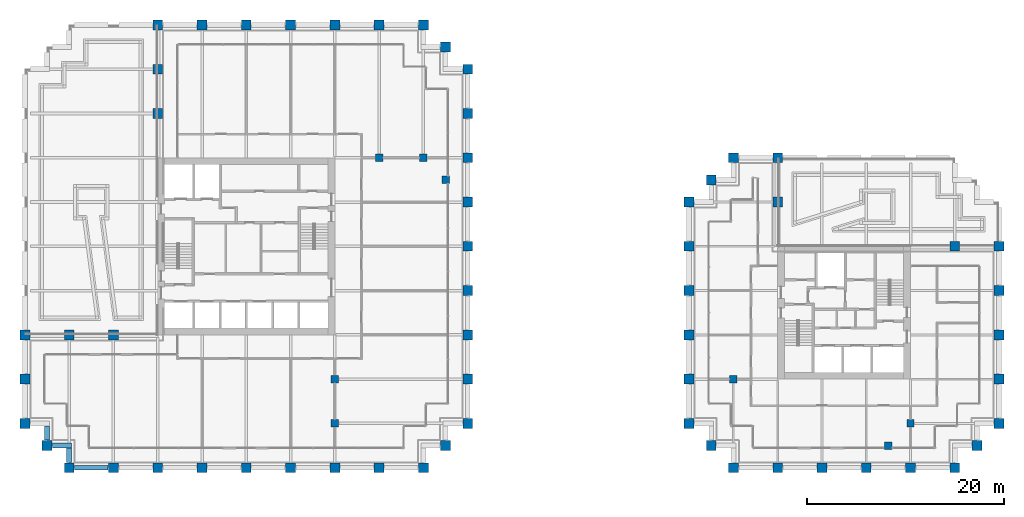
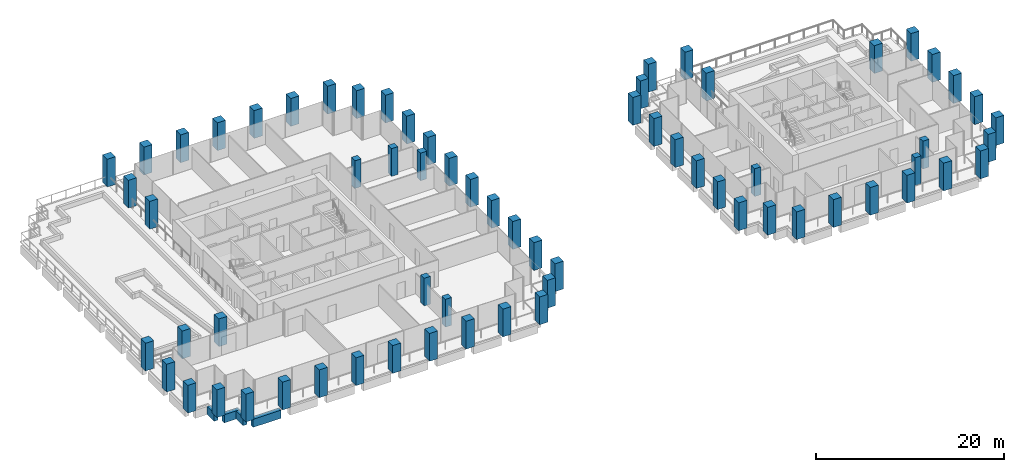
# One storey, part 1 of 52: 67 columns, 4 beams.
"""IFC4 building model written with IfcOpenShell, lengths in metres."""

from ifc_helpers import new_model, si_unit, direction, frame, origin, origin_2d, place, context, subcontext, project, spatial, rectangle, extrude, material, material_profile, profile_set, type_object, element, save


model = new_model("IFC4")

# Units and contexts
model_context = context("Model", 3, precision=1e-05, world=origin(), true_north=direction((0.0, 1.0)))
body_context = subcontext(model_context, "Body", "Model", "MODEL_VIEW")
ifc_project = project(units=[si_unit("LENGTHUNIT", "METRE"), si_unit("AREAUNIT", "SQUARE_METRE"), si_unit("VOLUMEUNIT", "CUBIC_METRE"), si_unit("PLANEANGLEUNIT", "RADIAN"), si_unit("MASSUNIT", "GRAM", prefix="KILO")], contexts=[model_context])

# Site, building, storey
site_placement = place(None, origin())
site = spatial("IfcSite", under=ifc_project, at=site_placement, CompositionType="ELEMENT")
building_placement = place(site_placement, origin())
building = spatial("IfcBuilding", under=site, at=building_placement, Name="Altepetl Exchange Towers", CompositionType="ELEMENT")
storey_placement = place(building_placement, frame((0.0, 0.0, 92.0)))
storey = spatial("IfcBuildingStorey", under=building, at=storey_placement, Name="L22", CompositionType="ELEMENT", Elevation=92.0)

# Columns
ifc_material_1 = material(Name="Concrete C70/85", Category="concrete")
ifc_material_profile_1 = material_profile(ifc_material_1, rectangle(XDim=0.75, YDim=0.75, at=origin_2d()), Name="750 x 750")
ifc_profile_set_1 = profile_set([ifc_material_profile_1], Name="Concrete C70/85")
column_type_1 = type_object("IfcColumnType", Name="Interior column 750", PredefinedType="COLUMN", material=ifc_profile_set_1)
for number, where, name in (
    (1, (58.5, 31.5, 0.0), "col:A:L22:035"),
    (2, (58.5, 36.0, 0.0), "col:A:L22:036"),
    (3, (63.0, 58.5, 0.0), "col:A:L22:037"),
    (4, (67.5, 58.5, 0.0), "col:A:L22:038"),
    (5, (69.75, 56.25, 0.0), "col:A:L22:039"),
    (6, (99.0, 36.0, 0.0), "col:B:L22:024"),
    (7, (114.75, 29.25, 0.0), "col:B:L22:025"),
    (8, (117.0, 31.5, 0.0), "col:B:L22:026"),
):
    element("IfcColumn", number, at=place(storey_placement, frame(where)), inside=storey, type_object=column_type_1, Name=name, PredefinedType="COLUMN", context=body_context, shape_type="SweptSolid", body=[
        extrude(rectangle(XDim=0.75, YDim=0.75, at=origin_2d()), origin(), (0.0, 0.0, 1.0), 3.60009765625),
    ])
ifc_material_2 = material(Name="Concrete C70/85 precast with cantera amarilla facing", Category="concrete")
ifc_material_profile_2 = material_profile(ifc_material_2, rectangle(XDim=1.0, YDim=1.0, at=origin_2d()), Name="1000 x 1000")
ifc_profile_set_2 = profile_set([ifc_material_profile_2], Name="Concrete C70/85 precast with cantera amarilla facing")
column_type_2 = type_object("IfcColumnType", Name="Perimeter column 1000 cantera amarilla", PredefinedType="COLUMN", material=ifc_profile_set_2)
for number, where, name in (
    (9, (58.5, 27.0, 0.0), "col:A:L22:006"),
    (10, (63.0, 27.0, 0.0), "col:A:L22:007"),
    (11, (67.5, 27.0, 0.0), "col:A:L22:008"),
    (12, (69.75, 29.25, 0.0), "col:A:L22:009"),
    (13, (72.0, 31.5, 0.0), "col:A:L22:010"),
    (14, (72.0, 36.0, 0.0), "col:A:L22:011"),
    (15, (72.0, 40.5, 0.0), "col:A:L22:012"),
    (16, (72.0, 45.0, 0.0), "col:A:L22:013"),
    (17, (72.0, 49.5, 0.0), "col:A:L22:014"),
    (18, (72.0, 54.0, 0.0), "col:A:L22:015"),
    (19, (126.0, 49.5, 0.0), "col:B:L22:011"),
    (20, (121.5, 49.5, 0.0), "col:B:L22:012"),
):
    element("IfcColumn", number, at=place(storey_placement, frame(where)), inside=storey, type_object=column_type_2, Name=name, PredefinedType="COLUMN", context=body_context, shape_type="SweptSolid", body=[
        extrude(rectangle(XDim=1.0, YDim=1.0, at=origin_2d()), origin(), (0.0, 0.0, 1.0), 3.60009765625),
    ])
ifc_material_3 = material(Name="Concrete C70/85 precast with cantera blanca facing", Category="concrete")
ifc_material_profile_3 = material_profile(ifc_material_3, rectangle(XDim=1.0, YDim=1.0, at=origin_2d()), Name="1000 x 1000")
ifc_profile_set_3 = profile_set([ifc_material_profile_3], Name="Concrete C70/85 precast with cantera blanca facing")
column_type_3 = type_object("IfcColumnType", Name="Perimeter column 1000 cantera blanca", PredefinedType="COLUMN", material=ifc_profile_set_3)
for number, where, name in (
    (21, (31.5, 27.0, 0.0), "col:A:L22:000"),
    (22, (36.0, 27.0, 0.0), "col:A:L22:001"),
    (23, (40.5, 27.0, 0.0), "col:A:L22:002"),
    (24, (45.0, 27.0, 0.0), "col:A:L22:003"),
    (25, (49.5, 27.0, 0.0), "col:A:L22:004"),
    (26, (54.0, 27.0, 0.0), "col:A:L22:005"),
    (27, (27.0, 36.0, 0.0), "col:A:L22:032"),
    (28, (27.0, 31.5, 0.0), "col:A:L22:033"),
    (29, (29.25, 29.25, 0.0), "col:A:L22:034"),
    (30, (117.0, 27.0, 0.0), "col:B:L22:004"),
    (31, (121.5, 27.0, 0.0), "col:B:L22:005"),
    (32, (123.75, 29.25, 0.0), "col:B:L22:006"),
    (33, (126.0, 31.5, 0.0), "col:B:L22:007"),
    (34, (126.0, 36.0, 0.0), "col:B:L22:008"),
    (35, (126.0, 40.5, 0.0), "col:B:L22:009"),
    (36, (126.0, 45.0, 0.0), "col:B:L22:010"),
):
    element("IfcColumn", number, at=place(storey_placement, frame(where)), inside=storey, type_object=column_type_3, Name=name, PredefinedType="COLUMN", context=body_context, shape_type="SweptSolid", body=[
        extrude(rectangle(XDim=1.0, YDim=1.0, at=origin_2d()), origin(), (0.0, 0.0, 1.0), 3.60009765625),
    ])
ifc_material_4 = material(Name="Concrete C70/85 precast with cantera rosa facing", Category="concrete")
ifc_material_profile_4 = material_profile(ifc_material_4, rectangle(XDim=1.0, YDim=1.0, at=origin_2d()), Name="1000 x 1000")
ifc_profile_set_4 = profile_set([ifc_material_profile_4], Name="Concrete C70/85 precast with cantera rosa facing")
column_type_4 = type_object("IfcColumnType", Name="Perimeter column 1000 cantera rosa", PredefinedType="COLUMN", material=ifc_profile_set_4)
for number, where, name in (
    (37, (72.0, 58.5, 0.0), "col:A:L22:016"),
    (38, (72.0, 63.0, 0.0), "col:A:L22:017"),
    (39, (72.0, 67.5, 0.0), "col:A:L22:018"),
    (40, (69.75, 69.75, 0.0), "col:A:L22:019"),
    (41, (67.5, 72.0, 0.0), "col:A:L22:020"),
    (42, (63.0, 72.0, 0.0), "col:A:L22:021"),
    (43, (58.5, 72.0, 0.0), "col:A:L22:022"),
    (44, (54.0, 72.0, 0.0), "col:A:L22:023"),
    (45, (49.5, 72.0, 0.0), "col:A:L22:024"),
    (46, (45.0, 72.0, 0.0), "col:A:L22:025"),
    (47, (103.5, 54.0, 0.0), "col:B:L22:013"),
    (48, (103.5, 58.5, 0.0), "col:B:L22:014"),
    (49, (99.0, 58.5, 0.0), "col:B:L22:015"),
    (50, (96.75, 56.25, 0.0), "col:B:L22:016"),
    (51, (94.5, 54.0, 0.0), "col:B:L22:017"),
    (52, (94.5, 49.5, 0.0), "col:B:L22:018"),
    (53, (94.5, 45.0, 0.0), "col:B:L22:019"),
    (54, (94.5, 40.5, 0.0), "col:B:L22:020"),
    (55, (94.5, 36.0, 0.0), "col:B:L22:021"),
):
    element("IfcColumn", number, at=place(storey_placement, frame(where)), inside=storey, type_object=column_type_4, Name=name, PredefinedType="COLUMN", context=body_context, shape_type="SweptSolid", body=[
        extrude(rectangle(XDim=1.0, YDim=1.0, at=origin_2d()), origin(), (0.0, 0.0, 1.0), 3.60009765625),
    ])
ifc_material_5 = material(Name="Concrete C70/85 precast with tezontle facing", Category="concrete")
ifc_material_profile_5 = material_profile(ifc_material_5, rectangle(XDim=1.0, YDim=1.0, at=origin_2d()), Name="1000 x 1000")
ifc_profile_set_5 = profile_set([ifc_material_profile_5], Name="Concrete C70/85 precast with tezontle facing")
column_type_5 = type_object("IfcColumnType", Name="Perimeter column 1000 tezontle", PredefinedType="COLUMN", material=ifc_profile_set_5)
for number, where, name in (
    (56, (40.5, 72.0, 0.0), "col:A:L22:026"),
    (57, (40.5, 67.5, 0.0), "col:A:L22:027"),
    (58, (40.5, 63.0, 0.0), "col:A:L22:028"),
    (59, (36.0, 40.5, 0.0), "col:A:L22:029"),
    (60, (31.5, 40.5, 0.0), "col:A:L22:030"),
    (61, (27.0, 40.5, 0.0), "col:A:L22:031"),
    (62, (99.0, 27.0, 0.0), "col:B:L22:000"),
    (63, (103.5, 27.0, 0.0), "col:B:L22:001"),
    (64, (108.0, 27.0, 0.0), "col:B:L22:002"),
    (65, (112.5, 27.0, 0.0), "col:B:L22:003"),
    (66, (94.5, 31.5, 0.0), "col:B:L22:022"),
    (67, (96.75, 29.25, 0.0), "col:B:L22:023"),
):
    element("IfcColumn", number, at=place(storey_placement, frame(where)), inside=storey, type_object=column_type_5, Name=name, PredefinedType="COLUMN", context=body_context, shape_type="SweptSolid", body=[
        extrude(rectangle(XDim=1.0, YDim=1.0, at=origin_2d()), origin(), (0.0, 0.0, 1.0), 3.60009765625),
    ])

# Beams
ifc_material_6 = material(Name="Concrete C50/60 precast with cantera blanca facing", Category="concrete")
ifc_material_profile_6 = material_profile(ifc_material_6, rectangle(XDim=0.5, YDim=1.050048828125, at=origin_2d()), Name="500 x 1050")
ifc_profile_set_6 = profile_set([ifc_material_profile_6], Name="Concrete C50/60 precast with cantera blanca facing")
beam_type = type_object("IfcBeamType", Name="Spandrel beam 500x1050 cantera blanca", PredefinedType="SPANDREL", material=ifc_profile_set_6)
beam_1_placement = place(storey_placement, frame((32.050048828125, 27.0, -0.675048828125), z_axis=(1.0, 0.0, 0.0), x_axis=(0.0, 1.0, 0.0)))
element("IfcBeam", 68, at=beam_1_placement, inside=storey, type_object=beam_type, Name="sp:A:L22:000", PredefinedType="SPANDREL", context=body_context, shape_type="SweptSolid", body=[
    extrude(rectangle(XDim=0.5, YDim=1.050048828125, at=origin_2d()), origin(), (0.0, 0.0, 1.0), 3.39990234375),
])
beam_2_placement = place(storey_placement, frame((29.25, 31.25, -0.675048828125), z_axis=(0.0, -1.0, 0.0), x_axis=(1.0, 0.0, 0.0)))
element("IfcBeam", 69, at=beam_2_placement, inside=storey, type_object=beam_type, Name="sp:A:L22:039", PredefinedType="SPANDREL", context=body_context, shape_type="SweptSolid", body=[
    extrude(rectangle(XDim=0.5, YDim=1.050048828125, at=origin_2d()), origin(), (0.0, 0.0, 1.0), 1.449951171875),
])
beam_3_placement = place(storey_placement, frame((29.800048828125, 29.25, -0.675048828125), z_axis=(1.0, 0.0, 0.0), x_axis=(0.0, 1.0, 0.0)))
element("IfcBeam", 70, at=beam_3_placement, inside=storey, type_object=beam_type, Name="sp:A:L22:040", PredefinedType="SPANDREL", context=body_context, shape_type="SweptSolid", body=[
    extrude(rectangle(XDim=0.5, YDim=1.050048828125, at=origin_2d()), origin(), (0.0, 0.0, 1.0), 1.949951171875),
])
beam_4_placement = place(storey_placement, frame((31.5, 29.0, -0.675048828125), z_axis=(0.0, -1.0, 0.0), x_axis=(1.0, 0.0, 0.0)))
element("IfcBeam", 71, at=beam_4_placement, inside=storey, type_object=beam_type, Name="sp:A:L22:041", PredefinedType="SPANDREL", context=body_context, shape_type="SweptSolid", body=[
    extrude(rectangle(XDim=0.5, YDim=1.050048828125, at=origin_2d()), origin(), (0.0, 0.0, 1.0), 1.449951171875),
])

save(model, "model.ifc")
